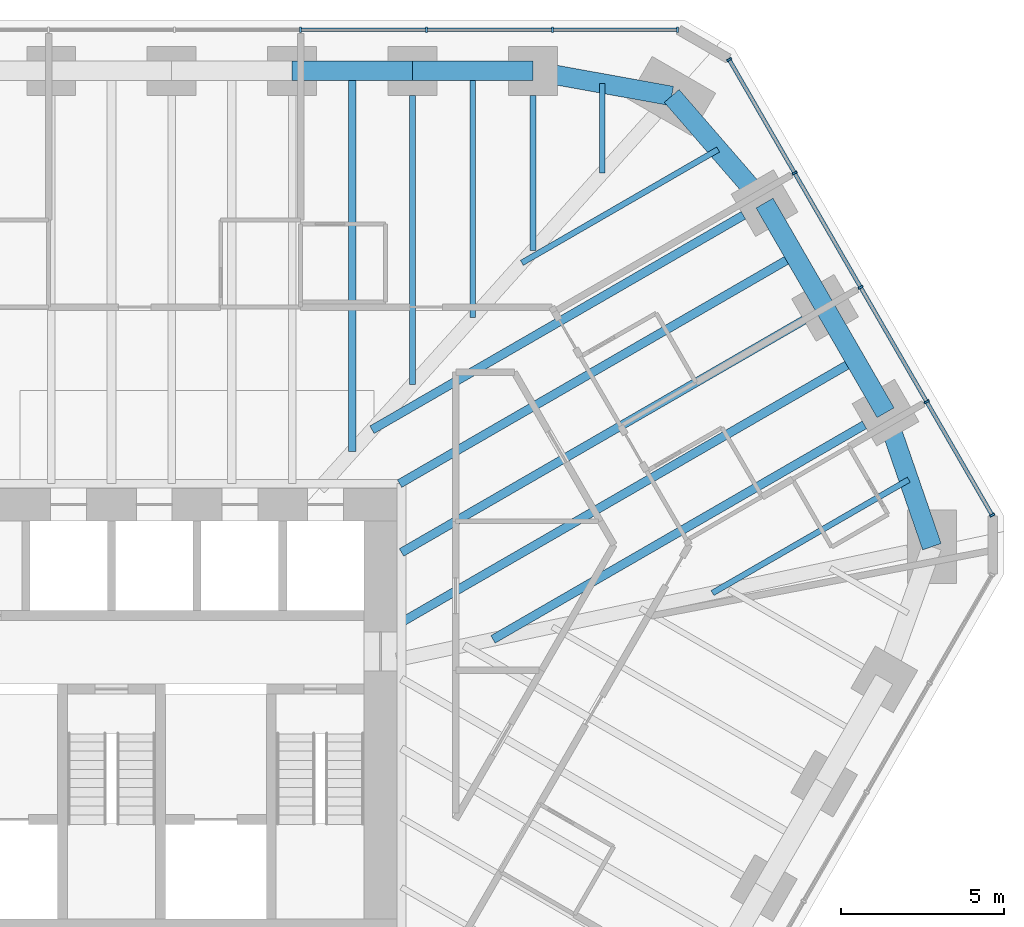
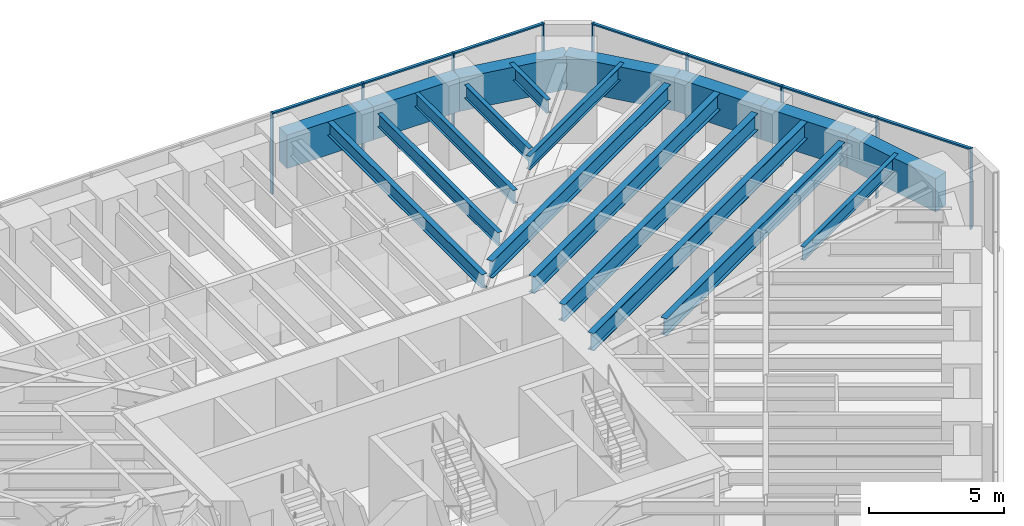
# One storey, part 9 of 17: 19 beams, 16 members, 2 elements without a shape of their own.
"""IFC4 building model written with IfcOpenShell, lengths in metres."""

from ifc_helpers import new_model, si_unit, direction, frame, origin, origin_2d, place, context, subcontext, project, spatial, rectangle, i_section, extrude, material, material_profile, profile_set, type_object, element, aggregate, save


model = new_model("IFC4")

# Units and contexts
model_context = context("Model", 3, precision=1e-05, world=origin(), true_north=direction((0.0, 1.0)))
body_context = subcontext(model_context, "Body", "Model", "MODEL_VIEW")
ifc_project = project(units=[si_unit("LENGTHUNIT", "METRE"), si_unit("AREAUNIT", "SQUARE_METRE"), si_unit("VOLUMEUNIT", "CUBIC_METRE"), si_unit("PLANEANGLEUNIT", "RADIAN"), si_unit("MASSUNIT", "GRAM", prefix="KILO")], contexts=[model_context])

# Site, building, storey
site_placement = place(None, origin())
site = spatial("IfcSite", under=ifc_project, at=site_placement, CompositionType="ELEMENT")
building_placement = place(site_placement, origin())
building = spatial("IfcBuilding", under=site, at=building_placement, Name="Sandreach Pilgrim Tower", CompositionType="ELEMENT")
storey_placement = place(building_placement, frame((0.0, 0.0, 198.39990234375)))
storey = spatial("IfcBuildingStorey", under=building, at=storey_placement, Name="L49", CompositionType="ELEMENT", Elevation=198.39990234375)

# Curtain wall, members
ifc_material_1 = material(Name="Aluminium framed curtain wall", Category="aluminium")
curtain_wall_type = type_object("IfcCurtainWallType", Name="Upper hotel tower curtain wall", PredefinedType="NOTDEFINED", material=ifc_material_1)
curtain_wall_1_placement = place(storey_placement, origin())
curtain_wall_1 = element("IfcCurtainWall", 1, at=curtain_wall_1_placement, inside=storey, type_object=curtain_wall_type, Name="CW-3 L49 N", PredefinedType="NOTDEFINED")
ifc_material_2 = material(Name="Aluminium extrusion", Category="aluminium")
ifc_material_profile_1 = material_profile(ifc_material_2, rectangle(XDim=0.06494140625, YDim=0.159912109375, at=origin_2d()), Name="CW-3M 65X160")
ifc_profile_set_1 = profile_set([ifc_material_profile_1], Name="Aluminium extrusion")
member_type_1 = type_object("IfcMemberType", Name="CW-3 mullion", PredefinedType="MULLION", material=ifc_profile_set_1)
member_1_placement = place(storey_placement, frame((5.796630859375, 21.16015625, 0.0), z_axis=(0.0, 0.0, 1.0), x_axis=(1.0, 0.0, 0.0)))
member_1 = element("IfcMember", 2, at=member_1_placement, type_object=member_type_1, Name="CW-3 mullion 7", PredefinedType="MULLION", context=body_context, shape_type="SweptSolid", body=[
    extrude(rectangle(XDim=0.06494140625, YDim=0.159912109375, at=origin_2d()), origin(), (0.0, 0.0, 1.0), 3.64013671875),
])
member_2_placement = place(storey_placement, frame((9.6611328125, 21.16015625, 0.0), z_axis=(0.0, 0.0, 1.0), x_axis=(1.0, 0.0, 0.0)))
member_2 = element("IfcMember", 3, at=member_2_placement, type_object=member_type_1, Name="CW-3 mullion 8", PredefinedType="MULLION", context=body_context, shape_type="SweptSolid", body=[
    extrude(rectangle(XDim=0.06494140625, YDim=0.159912109375, at=origin_2d()), origin(), (0.0, 0.0, 1.0), 3.64013671875),
])
member_3_placement = place(storey_placement, frame((13.525390625, 21.16015625, 0.0), z_axis=(0.0, 0.0, 1.0), x_axis=(1.0, 0.0, 0.0)))
member_3 = element("IfcMember", 4, at=member_3_placement, type_object=member_type_1, Name="CW-3 mullion 9", PredefinedType="MULLION", context=body_context, shape_type="SweptSolid", body=[
    extrude(rectangle(XDim=0.06494140625, YDim=0.159912109375, at=origin_2d()), origin(), (0.0, 0.0, 1.0), 3.64013671875),
])
member_4_placement = place(storey_placement, frame((17.357421875, 21.16015625, 0.0), z_axis=(0.0, 0.0, 1.0), x_axis=(1.0, 0.0, 0.0)))
member_4 = element("IfcMember", 5, at=member_4_placement, type_object=member_type_1, Name="CW-3 mullion 10", PredefinedType="MULLION", context=body_context, shape_type="SweptSolid", body=[
    extrude(rectangle(XDim=0.06494140625, YDim=0.159912109375, at=origin_2d()), origin(), (0.0, 0.0, 1.0), 3.64013671875),
])

curtain_wall_2_placement = place(storey_placement, origin())
curtain_wall_2 = element("IfcCurtainWall", 6, at=curtain_wall_2_placement, inside=storey, type_object=curtain_wall_type, Name="CW-3 L49 NE", PredefinedType="NOTDEFINED")
member_5_placement = place(storey_placement, frame((18.93896484375, 20.2470703125, 0.0), z_axis=(0.0, 0.0, 1.0), x_axis=(0.5, -0.866025403784, 0.0)))
member_5 = element("IfcMember", 7, at=member_5_placement, type_object=member_type_1, Name="CW-3 mullion 1", PredefinedType="MULLION", context=body_context, shape_type="SweptSolid", body=[
    extrude(rectangle(XDim=0.06494140625, YDim=0.159912109375, at=origin_2d()), origin(), (0.0, 0.0, 1.0), 3.64013671875),
])
member_6_placement = place(storey_placement, frame((20.947021484375, 16.768798828125, 0.0), z_axis=(0.0, 0.0, 1.0), x_axis=(0.5, -0.866025403784, 0.0)))
member_6 = element("IfcMember", 8, at=member_6_placement, type_object=member_type_1, Name="CW-3 mullion 2", PredefinedType="MULLION", context=body_context, shape_type="SweptSolid", body=[
    extrude(rectangle(XDim=0.06494140625, YDim=0.159912109375, at=origin_2d()), origin(), (0.0, 0.0, 1.0), 3.64013671875),
])
member_7_placement = place(storey_placement, frame((22.971435546875, 13.262451171875, 0.0), z_axis=(0.0, 0.0, 1.0), x_axis=(0.5, -0.866025403784, 0.0)))
member_7 = element("IfcMember", 9, at=member_7_placement, type_object=member_type_1, Name="CW-3 mullion 3", PredefinedType="MULLION", context=body_context, shape_type="SweptSolid", body=[
    extrude(rectangle(XDim=0.06494140625, YDim=0.159912109375, at=origin_2d()), origin(), (0.0, 0.0, 1.0), 3.64013671875),
])
member_8_placement = place(storey_placement, frame((24.995849609375, 9.75634765625, 0.0), z_axis=(0.0, 0.0, 1.0), x_axis=(0.5, -0.866025403784, 0.0)))
member_8 = element("IfcMember", 10, at=member_8_placement, type_object=member_type_1, Name="CW-3 mullion 4", PredefinedType="MULLION", context=body_context, shape_type="SweptSolid", body=[
    extrude(rectangle(XDim=0.06494140625, YDim=0.159912109375, at=origin_2d()), origin(), (0.0, 0.0, 1.0), 3.64013671875),
])
member_9_placement = place(storey_placement, frame((27.00390625, 6.278076171875, 0.0), z_axis=(0.0, 0.0, 1.0), x_axis=(0.5, -0.866025403784, 0.0)))
member_9 = element("IfcMember", 11, at=member_9_placement, type_object=member_type_1, Name="CW-3 mullion 5", PredefinedType="MULLION", context=body_context, shape_type="SweptSolid", body=[
    extrude(rectangle(XDim=0.06494140625, YDim=0.159912109375, at=origin_2d()), origin(), (0.0, 0.0, 1.0), 3.64013671875),
])

# Member
ifc_material_3 = material(Name="Aluminium extrusion", Category="aluminium")
ifc_material_profile_2 = material_profile(ifc_material_3, rectangle(XDim=0.1201171875, YDim=0.070068359375, at=origin_2d()), Name="CW-3T 120X70")
ifc_profile_set_2 = profile_set([ifc_material_profile_2], Name="Aluminium extrusion")
member_type_2 = type_object("IfcMemberType", Name="CW-3 transom", PredefinedType="USERDEFINED", material=ifc_profile_set_2)
member_10_placement = place(storey_placement, frame((5.8291015625, 21.16015625, 3.60498046875), z_axis=(1.0, 0.0, 0.0), x_axis=(0.0, 1.0, 0.0)))
member_10 = element("IfcMember", 12, at=member_10_placement, type_object=member_type_2, Name="CW-3 head transom 7", ObjectType="TRANSOM", PredefinedType="USERDEFINED", context=body_context, shape_type="SweptSolid", body=[
    extrude(rectangle(XDim=0.1201171875, YDim=0.070068359375, at=origin_2d()), origin(), (0.0, 0.0, 1.0), 3.799560546875),
])

member_11_placement = place(storey_placement, frame((9.693603515625, 21.16015625, 3.60498046875), z_axis=(1.0, 0.0, 0.0), x_axis=(0.0, 1.0, 0.0)))
member_11 = element("IfcMember", 13, at=member_11_placement, type_object=member_type_2, Name="CW-3 head transom 8", ObjectType="TRANSOM", PredefinedType="USERDEFINED", context=body_context, shape_type="SweptSolid", body=[
    extrude(rectangle(XDim=0.1201171875, YDim=0.070068359375, at=origin_2d()), origin(), (0.0, 0.0, 1.0), 3.79931640625),
])

member_12_placement = place(storey_placement, frame((13.557861328125, 21.16015625, 3.60498046875), z_axis=(1.0, 0.0, 0.0), x_axis=(0.0, 1.0, 0.0)))
member_12 = element("IfcMember", 14, at=member_12_placement, type_object=member_type_2, Name="CW-3 head transom 9", ObjectType="TRANSOM", PredefinedType="USERDEFINED", context=body_context, shape_type="SweptSolid", body=[
    extrude(rectangle(XDim=0.1201171875, YDim=0.070068359375, at=origin_2d()), origin(), (0.0, 0.0, 1.0), 3.76708984375),
])

aggregate(curtain_wall_1, [member_1, member_2, member_3, member_4, member_10, member_11, member_12])

member_13_placement = place(storey_placement, frame((18.955322265625, 20.21875, 3.60498046875), z_axis=(0.499993448556, -0.866029186229, 0.0), x_axis=(0.866029186229, 0.499993448556, 0.0)))
member_13 = element("IfcMember", 15, at=member_13_placement, type_object=member_type_2, Name="CW-3 head transom 1", ObjectType="TRANSOM", PredefinedType="USERDEFINED", context=body_context, shape_type="SweptSolid", body=[
    extrude(rectangle(XDim=0.1201171875, YDim=0.070068359375, at=origin_2d()), origin(), (0.0, 0.0, 1.0), 3.951171875),
])

member_14_placement = place(storey_placement, frame((20.96337890625, 16.74072265625, 3.60498046875), z_axis=(0.499975332564, -0.866039645067, 0.0), x_axis=(0.866039645067, 0.499975332564, 0.0)))
member_14 = element("IfcMember", 16, at=member_14_placement, type_object=member_type_2, Name="CW-3 head transom 2", ObjectType="TRANSOM", PredefinedType="USERDEFINED", context=body_context, shape_type="SweptSolid", body=[
    extrude(rectangle(XDim=0.1201171875, YDim=0.070068359375, at=origin_2d()), origin(), (0.0, 0.0, 1.0), 3.983642578125),
])

member_15_placement = place(storey_placement, frame((22.98779296875, 13.234375, 3.60498046875), z_axis=(0.499975332564, -0.866039645067, 0.0), x_axis=(0.866039645067, 0.499975332564, 0.0)))
member_15 = element("IfcMember", 17, at=member_15_placement, type_object=member_type_2, Name="CW-3 head transom 3", ObjectType="TRANSOM", PredefinedType="USERDEFINED", context=body_context, shape_type="SweptSolid", body=[
    extrude(rectangle(XDim=0.1201171875, YDim=0.070068359375, at=origin_2d()), origin(), (0.0, 0.0, 1.0), 3.983642578125),
])

member_16_placement = place(storey_placement, frame((25.011962890625, 9.728271484375, 3.60498046875), z_axis=(0.499993448556, -0.866029186229, 0.0), x_axis=(0.866029186229, 0.499993448556, 0.0)))
member_16 = element("IfcMember", 18, at=member_16_placement, type_object=member_type_2, Name="CW-3 head transom 4", ObjectType="TRANSOM", PredefinedType="USERDEFINED", context=body_context, shape_type="SweptSolid", body=[
    extrude(rectangle(XDim=0.1201171875, YDim=0.070068359375, at=origin_2d()), origin(), (0.0, 0.0, 1.0), 3.951171875),
])

aggregate(curtain_wall_2, [member_5, member_6, member_7, member_8, member_9, member_13, member_14, member_15, member_16])

# Beams
ifc_material_4 = material(Name="Steel ASTM A992 Grade 50", Category="steel")
ifc_material_profile_3 = material_profile(ifc_material_4, i_section(OverallWidth=0.1787109375, OverallDepth=0.60205078125, WebThickness=0.010986328125, FlangeThickness=0.014892578125, at=origin_2d()), Name="W24X62")
ifc_profile_set_3 = profile_set([ifc_material_profile_3], Name="Steel ASTM A992 Grade 50")
beam_type_1 = type_object("IfcBeamType", Name="Floor beam W24X62", PredefinedType="BEAM", material=ifc_profile_set_3)
beam_1_placement = place(storey_placement, frame((9.231201171875, 19.150146484375, 3.339111328125), z_axis=(0.0, -1.0, 0.0), x_axis=(1.0, 0.0, 0.0)))
element("IfcBeam", 19, at=beam_1_placement, inside=storey, type_object=beam_type_1, Name="BM L49 F07", PredefinedType="BEAM", context=body_context, shape_type="SweptSolid", body=[
    extrude(i_section(OverallWidth=0.1787109375, OverallDepth=0.60205078125, WebThickness=0.010986328125, FlangeThickness=0.014892578125, at=origin_2d()), origin(), (0.0, 0.0, 1.0), 8.86962890625),
])
beam_2_placement = place(storey_placement, frame((12.923828125, 19.150146484375, 3.339111328125), z_axis=(0.0, -1.0, 0.0), x_axis=(1.0, 0.0, 0.0)))
element("IfcBeam", 20, at=beam_2_placement, inside=storey, type_object=beam_type_1, Name="BM L49 F08", PredefinedType="BEAM", context=body_context, shape_type="SweptSolid", body=[
    extrude(i_section(OverallWidth=0.1787109375, OverallDepth=0.60205078125, WebThickness=0.010986328125, FlangeThickness=0.014892578125, at=origin_2d()), origin(), (0.0, 0.0, 1.0), 4.757568359375),
])
beam_3_placement = place(storey_placement, frame((11.077392578125, 19.900146484375, 3.339111328125), z_axis=(0.0, -1.0, 0.0), x_axis=(1.0, 0.0, 0.0)))
element("IfcBeam", 21, at=beam_3_placement, inside=storey, type_object=beam_type_1, Name="BM L49 FM07", PredefinedType="BEAM", context=body_context, shape_type="SweptSolid", body=[
    extrude(i_section(OverallWidth=0.1787109375, OverallDepth=0.60205078125, WebThickness=0.010986328125, FlangeThickness=0.014892578125, at=origin_2d()), origin(), (0.0, 0.0, 1.0), 7.563720703125),
])
beam_4_placement = place(storey_placement, frame((15.05078125, 19.515380859375, 3.339111328125), z_axis=(0.0, -1.0, 0.0), x_axis=(1.0, 0.0, 0.0)))
element("IfcBeam", 22, at=beam_4_placement, inside=storey, type_object=beam_type_1, Name="BM L49 FM08", PredefinedType="BEAM", context=body_context, shape_type="SweptSolid", body=[
    extrude(i_section(OverallWidth=0.1787109375, OverallDepth=0.60205078125, WebThickness=0.010986328125, FlangeThickness=0.014892578125, at=origin_2d()), origin(), (0.0, 0.0, 1.0), 2.75390625),
])
for number, where, z_axis, x_axis, name in (
    (23, (18.6015625, 17.48828125, 3.339111328125), (-0.866029381593, -0.499993110171, 0.0), (0.499993110171, -0.866029381593, 0.0), "BM L49 FM09"),
    (24, (24.446044921875, 7.365234375, 3.339111328125), (-0.866029381593, -0.499993110171, 0.0), (0.499993110171, -0.866029381593, 0.0), "BM L49 FM12"),
):
    element("IfcBeam", number, at=place(storey_placement, frame(where, z_axis=z_axis, x_axis=x_axis)), inside=storey, type_object=beam_type_1, Name=name, PredefinedType="BEAM", context=body_context, shape_type="SweptSolid", body=[
        extrude(i_section(OverallWidth=0.1787109375, OverallDepth=0.60205078125, WebThickness=0.010986328125, FlangeThickness=0.014892578125, at=origin_2d()), origin(), (0.0, 0.0, 1.0), 6.94921875),
    ])
ifc_material_5 = material(Name="Steel ASTM A992 Grade 50", Category="steel")
ifc_material_profile_4 = material_profile(ifc_material_5, i_section(OverallWidth=0.23046875, OverallDepth=0.6171875, WebThickness=0.01318359375, FlangeThickness=0.022216796875, at=origin_2d()), Name="W24X94")
ifc_profile_set_4 = profile_set([ifc_material_profile_4], Name="Steel ASTM A992 Grade 50")
beam_type_2 = type_object("IfcBeamType", Name="Floor beam W24X94", PredefinedType="BEAM", material=ifc_profile_set_4)
beam_5_placement = place(storey_placement, frame((7.385009765625, 19.900146484375, 3.33154296875), z_axis=(0.0, -1.0, 0.0), x_axis=(1.0, 0.0, 0.0)))
element("IfcBeam", 25, at=beam_5_placement, inside=storey, type_object=beam_type_2, Name="BM L49 FM06", PredefinedType="BEAM", context=body_context, shape_type="SweptSolid", body=[
    extrude(i_section(OverallWidth=0.23046875, OverallDepth=0.6171875, WebThickness=0.01318359375, FlangeThickness=0.022216796875, at=origin_2d()), origin(), (0.0, 0.0, 1.0), 11.67578125),
])
ifc_material_6 = material(Name="Steel ASTM A992 Grade 50", Category="steel")
ifc_material_profile_5 = material_profile(ifc_material_6, i_section(OverallWidth=0.2666015625, OverallDepth=0.761962890625, WebThickness=0.014404296875, FlangeThickness=0.021484375, at=origin_2d()), Name="W30X116")
ifc_profile_set_5 = profile_set([ifc_material_profile_5], Name="Steel ASTM A992 Grade 50")
beam_type_3 = type_object("IfcBeamType", Name="Floor beam W30X116", PredefinedType="BEAM", material=ifc_profile_set_5)
beam_6_placement = place(storey_placement, frame((19.37548828125, 15.470947265625, 3.259033203125), z_axis=(-0.866022320763, -0.500005339912, 0.0), x_axis=(0.500005339912, -0.866022320763, 0.0)))
element("IfcBeam", 26, at=beam_6_placement, inside=storey, type_object=beam_type_3, Name="BM L49 F10", PredefinedType="BEAM", context=body_context, shape_type="SweptSolid", body=[
    extrude(i_section(OverallWidth=0.2666015625, OverallDepth=0.761962890625, WebThickness=0.014404296875, FlangeThickness=0.021484375, at=origin_2d()), origin(), (0.0, 0.0, 1.0), 13.148193359375),
])
beam_7_placement = place(storey_placement, frame((21.230712890625, 12.257568359375, 3.259033203125), z_axis=(-0.866024056942, -0.500002332792, 0.0), x_axis=(0.500002332792, -0.866024056942, 0.0)))
element("IfcBeam", 27, at=beam_7_placement, inside=storey, type_object=beam_type_3, Name="BM L49 F11", PredefinedType="BEAM", context=body_context, shape_type="SweptSolid", body=[
    extrude(i_section(OverallWidth=0.2666015625, OverallDepth=0.761962890625, WebThickness=0.014404296875, FlangeThickness=0.021484375, at=origin_2d()), origin(), (0.0, 0.0, 1.0), 14.24609375),
])
beam_8_placement = place(storey_placement, frame((23.0859375, 9.044189453125, 3.259033203125), z_axis=(-0.866026962808, -0.499997299682, 0.0), x_axis=(0.499997299682, -0.866026962808, 0.0)))
element("IfcBeam", 28, at=beam_8_placement, inside=storey, type_object=beam_type_3, Name="BM L49 F12", PredefinedType="BEAM", context=body_context, shape_type="SweptSolid", body=[
    extrude(i_section(OverallWidth=0.2666015625, OverallDepth=0.761962890625, WebThickness=0.014404296875, FlangeThickness=0.021484375, at=origin_2d()), origin(), (0.0, 0.0, 1.0), 13.1484375),
])
beam_9_placement = place(storey_placement, frame((20.95263671875, 14.2392578125, 3.259033203125), z_axis=(-0.866025770688, -0.499999364504, 0.0), x_axis=(0.499999364504, -0.866025770688, 0.0)))
element("IfcBeam", 29, at=beam_9_placement, inside=storey, type_object=beam_type_3, Name="BM L49 FM10", PredefinedType="BEAM", context=body_context, shape_type="SweptSolid", body=[
    extrude(i_section(OverallWidth=0.2666015625, OverallDepth=0.761962890625, WebThickness=0.014404296875, FlangeThickness=0.021484375, at=origin_2d()), origin(), (0.0, 0.0, 1.0), 13.99169921875),
])
ifc_material_7 = material(Name="Steel ASTM A992 Grade 50", Category="steel")
ifc_material_profile_6 = material_profile(ifc_material_7, i_section(OverallWidth=0.2666015625, OverallDepth=0.77978515625, WebThickness=0.0166015625, FlangeThickness=0.030029296875, at=origin_2d()), Name="W30X148")
ifc_profile_set_6 = profile_set([ifc_material_profile_6], Name="Steel ASTM A992 Grade 50")
beam_type_4 = type_object("IfcBeamType", Name="Floor beam W30X148", PredefinedType="BEAM", material=ifc_profile_set_6)
beam_10_placement = place(storey_placement, frame((22.807861328125, 11.02587890625, 3.250244140625), z_axis=(-0.866028701771, -0.499994287676, 0.0), x_axis=(0.499994287676, -0.866028701771, 0.0)))
element("IfcBeam", 30, at=beam_10_placement, inside=storey, type_object=beam_type_4, Name="BM L49 FM11", PredefinedType="BEAM", context=body_context, shape_type="SweptSolid", body=[
    extrude(i_section(OverallWidth=0.2666015625, OverallDepth=0.77978515625, WebThickness=0.0166015625, FlangeThickness=0.030029296875, at=origin_2d()), origin(), (0.0, 0.0, 1.0), 16.067138671875),
])
ifc_material_8 = material(Name="Concrete 10000 psi", Category="concrete")
ifc_material_profile_7 = material_profile(ifc_material_8, rectangle(XDim=0.60009765625, YDim=1.5, at=origin_2d()), Name="RC600X1500")
ifc_profile_set_7 = profile_set([ifc_material_profile_7], Name="Concrete 10000 psi")
beam_type_5 = type_object("IfcBeamType", Name="Spandrel beam RC600X1500", PredefinedType="SPANDREL", material=ifc_profile_set_7)
beam_11_placement = place(storey_placement, frame((5.538818359375, 19.900146484375, 2.89013671875), z_axis=(1.0, 0.0, 0.0), x_axis=(0.0, 1.0, 0.0)))
element("IfcBeam", 31, at=beam_11_placement, inside=storey, type_object=beam_type_5, Name="BM L49 SP06", PredefinedType="SPANDREL", context=body_context, shape_type="SweptSolid", body=[
    extrude(rectangle(XDim=0.60009765625, YDim=1.5, at=origin_2d()), origin(), (0.0, 0.0, 1.0), 3.6923828125),
])
beam_12_placement = place(storey_placement, frame((9.231201171875, 19.900146484375, 2.89013671875), z_axis=(1.0, 0.0, 0.0), x_axis=(0.0, 1.0, 0.0)))
element("IfcBeam", 32, at=beam_12_placement, inside=storey, type_object=beam_type_5, Name="BM L49 SP07", PredefinedType="SPANDREL", context=body_context, shape_type="SweptSolid", body=[
    extrude(rectangle(XDim=0.60009765625, YDim=1.5, at=origin_2d()), origin(), (0.0, 0.0, 1.0), 3.692626953125),
])
beam_13_placement = place(storey_placement, frame((12.923828125, 19.900146484375, 2.89013671875), z_axis=(0.984030345637, -0.178000783326, 0.0), x_axis=(0.178000783326, 0.984030345637, 0.0)))
element("IfcBeam", 33, at=beam_13_placement, inside=storey, type_object=beam_type_5, Name="BM L49 SP08", PredefinedType="SPANDREL", context=body_context, shape_type="SweptSolid", body=[
    extrude(rectangle(XDim=0.60009765625, YDim=1.5, at=origin_2d()), origin(), (0.0, 0.0, 1.0), 4.3232421875),
])
beam_14_placement = place(storey_placement, frame((17.177978515625, 19.130615234375, 2.89013671875), z_axis=(0.65499040715, -0.755637192402, 0.0), x_axis=(0.755637192402, 0.65499040715, 0.0)))
element("IfcBeam", 34, at=beam_14_placement, inside=storey, type_object=beam_type_5, Name="BM L49 SP09", PredefinedType="SPANDREL", context=body_context, shape_type="SweptSolid", body=[
    extrude(rectangle(XDim=0.60009765625, YDim=1.5, at=origin_2d()), origin(), (0.0, 0.0, 1.0), 4.346923828125),
])
for number, where, z_axis, x_axis, name in (
    (35, (20.025146484375, 15.845947265625, 2.89013671875), (0.499995842751, -0.86602780396, 0.0), (0.86602780396, 0.499995842751, 0.0), "BM L49 SP10"),
    (36, (21.88037109375, 12.632568359375, 2.89013671875), (0.499946491854, -0.866056294523, 0.0), (0.866056294523, 0.499946491854, 0.0), "BM L49 SP11"),
):
    element("IfcBeam", number, at=place(storey_placement, frame(where, z_axis=z_axis, x_axis=x_axis)), inside=storey, type_object=beam_type_5, Name=name, PredefinedType="SPANDREL", context=body_context, shape_type="SweptSolid", body=[
        extrude(rectangle(XDim=0.60009765625, YDim=1.5, at=origin_2d()), origin(), (0.0, 0.0, 1.0), 3.71044921875),
    ])
beam_15_placement = place(storey_placement, frame((23.7353515625, 9.419189453125, 2.89013671875), z_axis=(0.326940800053, -0.945044820768, 0.0), x_axis=(0.945044820768, 0.326940800053, 0.0)))
element("IfcBeam", 37, at=beam_15_placement, inside=storey, type_object=beam_type_5, Name="BM L49 SP12", PredefinedType="SPANDREL", context=body_context, shape_type="SweptSolid", body=[
    extrude(rectangle(XDim=0.60009765625, YDim=1.5, at=origin_2d()), origin(), (0.0, 0.0, 1.0), 4.3466796875),
])

save(model, "model.ifc")
